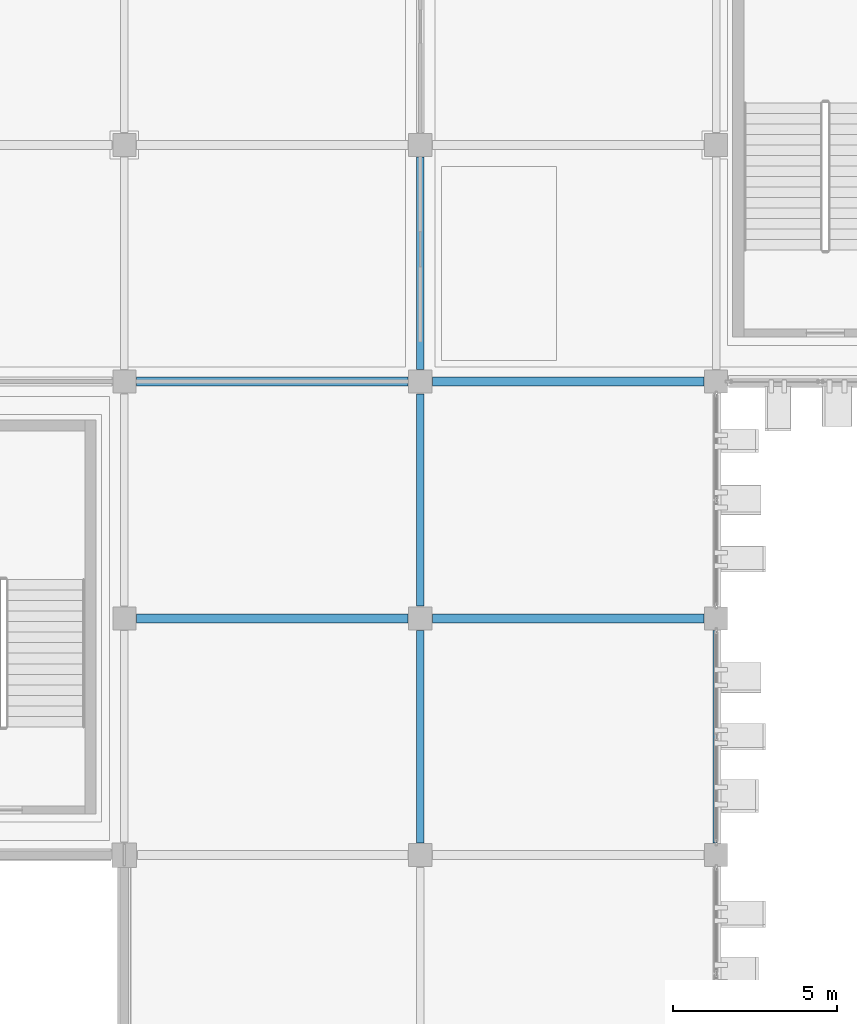
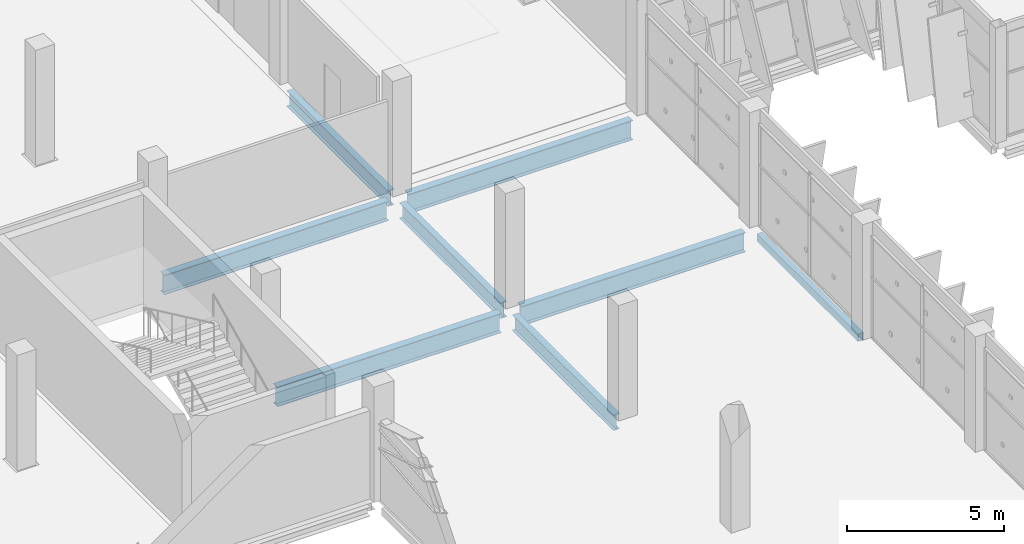
# One storey, part 57 of 151: 8 beams.
"""IFC4 building model written with IfcOpenShell, lengths in metres."""

from ifc_helpers import new_model, si_unit, direction, frame, origin, origin_2d, place, context, subcontext, project, spatial, hollow_rectangle, i_section, extrude, material, material_profile, profile_set, type_object, element, save


model = new_model("IFC4")

# Units and contexts
model_context = context("Model", 3, precision=1e-05, world=origin(), true_north=direction((0.0, 1.0)))
body_context = subcontext(model_context, "Body", "Model", "MODEL_VIEW")
ifc_project = project(units=[si_unit("LENGTHUNIT", "METRE"), si_unit("AREAUNIT", "SQUARE_METRE"), si_unit("VOLUMEUNIT", "CUBIC_METRE"), si_unit("PLANEANGLEUNIT", "RADIAN"), si_unit("MASSUNIT", "GRAM", prefix="KILO")], contexts=[model_context])

# Site, building, storey
site_placement = place(None, origin())
site = spatial("IfcSite", under=ifc_project, at=site_placement, CompositionType="ELEMENT")
building_placement = place(site_placement, origin())
building = spatial("IfcBuilding", under=site, at=building_placement, Name="Celestram Park Convention Centre", CompositionType="ELEMENT")
storey_placement = place(building_placement, frame((0.0, 0.0, 10.800048828125)))
storey = spatial("IfcBuildingStorey", under=building, at=storey_placement, Name="L02", CompositionType="ELEMENT", Elevation=10.800048828125)

# Beams
ifc_material_1 = material(Name="Steel ASTM A992 Grade 50", Category="steel")
ifc_material_profile_1 = material_profile(ifc_material_1, i_section(OverallWidth=0.22900390625, OverallDepth=0.612060546875, WebThickness=0.011962890625, FlangeThickness=0.01953125, at=origin_2d()), Name="W24X84")
ifc_profile_set_1 = profile_set([ifc_material_profile_1], Name="Steel ASTM A992 Grade 50")
beam_type_1 = type_object("IfcBeamType", Name="STR-BM-W24X84", PredefinedType="BEAM", material=ifc_profile_set_1)
beam_1_placement = place(storey_placement, frame((135.0, 108.373046875, -0.5859375), z_axis=(0.0, 1.0, 0.0), x_axis=(-1.0, 0.0, 0.0)))
element("IfcBeam", 1, at=beam_1_placement, inside=storey, type_object=beam_type_1, Name="Primary Y-girder BG-L02-0219", PredefinedType="BEAM", context=body_context, shape_type="SweptSolid", body=[
    extrude(i_section(OverallWidth=0.22900390625, OverallDepth=0.612060546875, WebThickness=0.011962890625, FlangeThickness=0.01953125, at=origin_2d()), origin(), (0.0, 0.0, 1.0), 6.453857421875),
])
for number, where, z_axis, x_axis, name in (
    (2, (135.0, 115.572998046875, -0.5859375), (0.0, 1.0, 0.0), (-1.0, 0.0, 0.0), "Primary Y-girder BG-L02-0221"),
    (3, (135.0, 122.77294921875, -0.5859375), (0.0, 1.0, 0.0), (-1.0, 0.0, 0.0), "Primary Y-girder BG-L02-0223"),
):
    element("IfcBeam", number, at=place(storey_placement, frame(where, z_axis=z_axis, x_axis=x_axis)), inside=storey, type_object=beam_type_1, Name=name, PredefinedType="BEAM", context=body_context, shape_type="SweptSolid", body=[
        extrude(i_section(OverallWidth=0.22900390625, OverallDepth=0.612060546875, WebThickness=0.011962890625, FlangeThickness=0.01953125, at=origin_2d()), origin(), (0.0, 0.0, 1.0), 6.4541015625),
    ])
ifc_material_profile_2 = material_profile(ifc_material_1, i_section(OverallWidth=0.26708984375, OverallDepth=0.761962890625, WebThickness=0.014404296875, FlangeThickness=0.021484375, at=origin_2d()), Name="W30X116")
ifc_profile_set_2 = profile_set([ifc_material_profile_2], Name="Steel ASTM A992 Grade 50")
beam_type_2 = type_object("IfcBeamType", Name="STR-BM-W30X116", PredefinedType="BEAM", material=ifc_profile_set_2)
for number, where, z_axis, x_axis, name in (
    (4, (126.373046875, 115.199951171875, -0.6611328125), (1.0, 0.0, 0.0), (0.0, 1.0, 0.0), "Primary X-girder BG-L02-0181"),
    (5, (126.373046875, 122.39990234375, -0.6611328125), (1.0, 0.0, 0.0), (0.0, 1.0, 0.0), "Primary X-girder BG-L02-0183"),
    (6, (135.373046875, 115.199951171875, -0.6611328125), (1.0, 0.0, 0.0), (0.0, 1.0, 0.0), "Primary X-girder BG-L02-0220"),
    (7, (135.373046875, 122.39990234375, -0.6611328125), (1.0, 0.0, 0.0), (0.0, 1.0, 0.0), "Primary X-girder BG-L02-0222"),
):
    element("IfcBeam", number, at=place(storey_placement, frame(where, z_axis=z_axis, x_axis=x_axis)), inside=storey, type_object=beam_type_2, Name=name, PredefinedType="BEAM", context=body_context, shape_type="SweptSolid", body=[
        extrude(i_section(OverallWidth=0.26708984375, OverallDepth=0.761962890625, WebThickness=0.014404296875, FlangeThickness=0.021484375, at=origin_2d()), origin(), (0.0, 0.0, 1.0), 8.25390625),
    ])
ifc_material_2 = material(Name="Steel ASTM A500 Grade C", Category="steel")
ifc_material_profile_3 = material_profile(ifc_material_2, hollow_rectangle(XDim=0.199951171875, YDim=0.300048828125, WallThickness=0.011962890625, at=origin_2d()), Name="HSS300X200X12")
ifc_profile_set_3 = profile_set([ifc_material_profile_3], Name="Steel ASTM A500 Grade C")
beam_type_3 = type_object("IfcBeamType", Name="STR-SPN-HSS300X200", PredefinedType="SPANDREL", material=ifc_profile_set_3)
beam_2_placement = place(storey_placement, frame((144.0, 108.373046875, -0.429931640625), z_axis=(0.0, 1.0, 0.0), x_axis=(-1.0, 0.0, 0.0)))
element("IfcBeam", 8, at=beam_2_placement, inside=storey, type_object=beam_type_3, Name="Primary Y-girder BG-L02-0253", PredefinedType="SPANDREL", context=body_context, shape_type="SweptSolid", body=[
    extrude(hollow_rectangle(XDim=0.199951171875, YDim=0.300048828125, WallThickness=0.011962890625, at=origin_2d()), origin(), (0.0, 0.0, 1.0), 6.453857421875),
])

save(model, "model.ifc")
